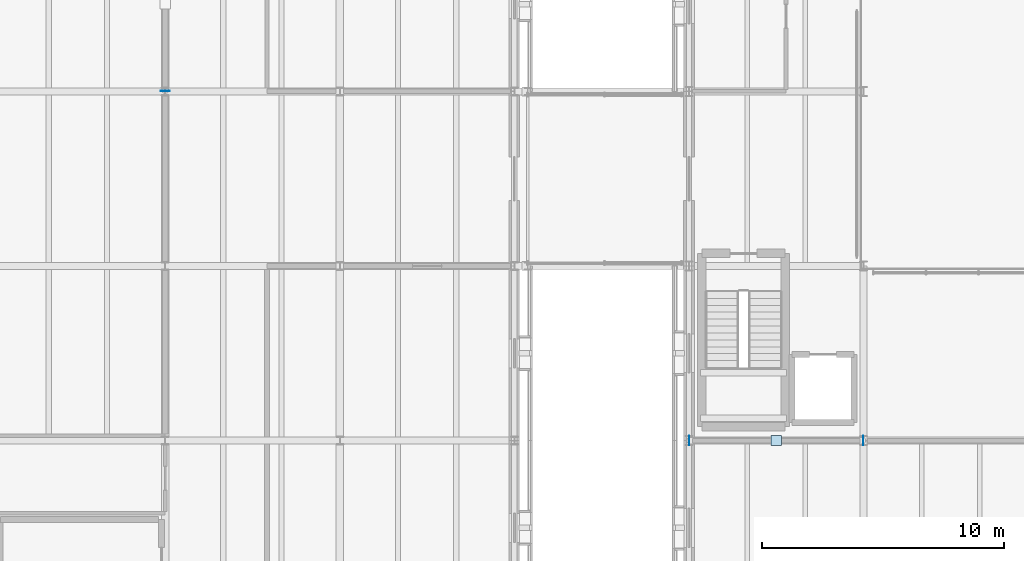
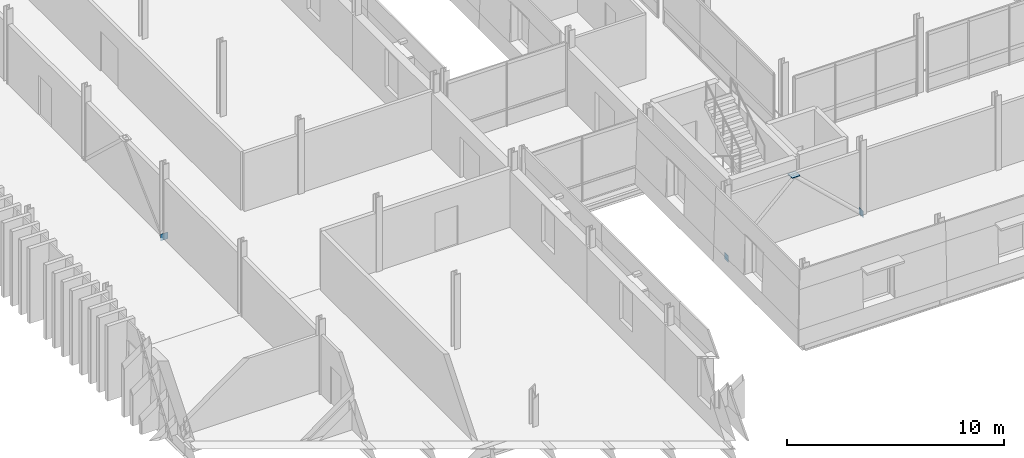
# One storey, part 60 of 115: 4 plates.
"""IFC4 building model written with IfcOpenShell, lengths in metres."""

from ifc_helpers import new_model, si_unit, direction, frame, origin, origin_2d, place, context, subcontext, project, spatial, rectangle, extrude, material, layer, layer_set, type_object, element, save


model = new_model("IFC4")

# Units and contexts
model_context = context("Model", 3, precision=1e-05, world=origin(), true_north=direction((0.0, 1.0)))
body_context = subcontext(model_context, "Body", "Model", "MODEL_VIEW")
ifc_project = project(units=[si_unit("LENGTHUNIT", "METRE"), si_unit("AREAUNIT", "SQUARE_METRE"), si_unit("VOLUMEUNIT", "CUBIC_METRE"), si_unit("PLANEANGLEUNIT", "RADIAN"), si_unit("MASSUNIT", "GRAM", prefix="KILO")], contexts=[model_context])

# Site, building, storey
site_placement = place(None, origin())
site = spatial("IfcSite", under=ifc_project, at=site_placement, CompositionType="ELEMENT")
building_placement = place(site_placement, origin())
building = spatial("IfcBuilding", under=site, at=building_placement, Name="Narikvali Park Central Library", CompositionType="ELEMENT")
storey_placement = place(building_placement, frame((0.0, 0.0, 10.199951171875)))
storey = spatial("IfcBuildingStorey", under=building, at=storey_placement, Name="L02", CompositionType="ELEMENT", Elevation=10.199951171875)

# Plates
ifc_material = material(Name="Steel S355", Category="steel")
ifc_layer_1 = layer(ifc_material, 0.013916015625, Name="Steel S355")
ifc_layer_set_1 = layer_set([ifc_layer_1], Name="Steel S355")
plate_type_1 = type_object("IfcPlateType", Name="Steel Hollow End Cap Plate 14", PredefinedType="SHEET", material=ifc_layer_set_1)
plate_1_placement = place(storey_placement, frame((7.199951171875, 72.01220703125, -0.177490234375), z_axis=(0.0, 0.0, 1.0), x_axis=(-1.0, 0.0, 0.0)))
element("IfcPlate", 1, at=plate_1_placement, inside=storey, type_object=plate_type_1, Name="Hollow Section Steel End Cap BR-ECAP-1-L02-A0", PredefinedType="SHEET", context=body_context, shape_type="SweptSolid", body=[
    extrude(rectangle(XDim=0.3798828125, YDim=0.013916015625, at=origin_2d()), origin(), (0.0, 0.0, 1.0), 0.3798828125),
])
for number, where, z_axis, x_axis, name in (
    (2, (28.81201171875, 57.60009765625, -0.177490234375), (0.0, 0.0, 1.0), (-1.0, 0.0, 0.0), "Hollow Section Steel End Cap BR-ECAP-3-L02-A0"),
    (3, (35.98779296875, 57.60009765625, -0.177490234375), (0.0, 0.0, 1.0), (1.0, 0.0, 0.0), "Hollow Section Steel End Cap BR-ECAP-3-L02-B0"),
):
    element("IfcPlate", number, at=place(storey_placement, frame(where, z_axis=z_axis, x_axis=x_axis)), inside=storey, type_object=plate_type_1, Name=name, PredefinedType="SHEET", context=body_context, shape_type="SweptSolid", body=[
        extrude(rectangle(XDim=0.013916015625, YDim=0.3798828125, at=origin_2d()), origin(), (0.0, 0.0, 1.0), 0.3798828125),
    ])
ifc_layer_2 = layer(ifc_material, 0.0380859375, Name="Steel S355")
ifc_layer_set_2 = layer_set([ifc_layer_2], Name="Steel S355")
plate_type_2 = type_object("IfcPlateType", Name="Truss Splice Gusset Plate 38", PredefinedType="SHEET", material=ifc_layer_set_2)
plate_2_placement = place(storey_placement, frame((32.39990234375, 57.60009765625, 3.381103515625), z_axis=(0.0, 0.0, 1.0), x_axis=(1.0, 0.0, 0.0)))
element("IfcPlate", 4, at=plate_2_placement, inside=storey, type_object=plate_type_2, Name="V4 L02 Chevron Apex Gusset Cap Plate", PredefinedType="SHEET", context=body_context, shape_type="SweptSolid", body=[
    extrude(rectangle(XDim=0.419921875, YDim=0.419921875, at=origin_2d()), origin(), (0.0, 0.0, 1.0), 0.0380859375),
])

save(model, "model.ifc")
